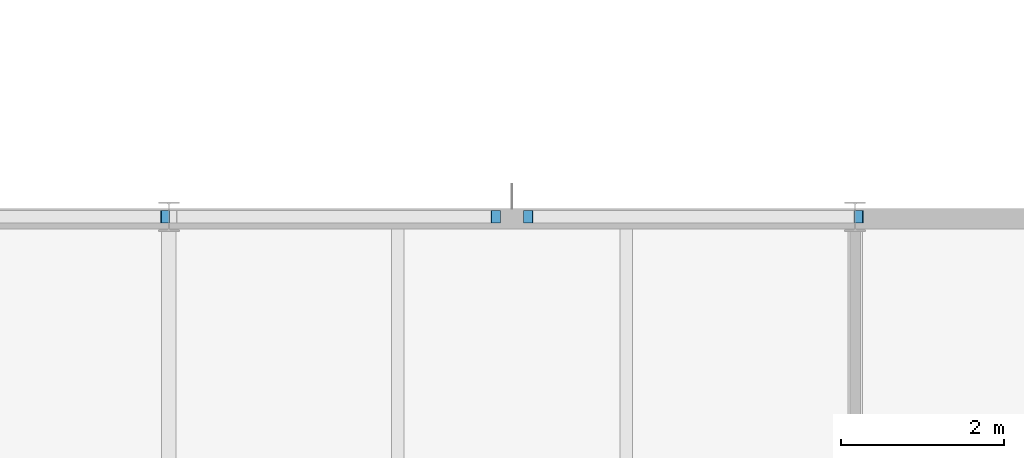
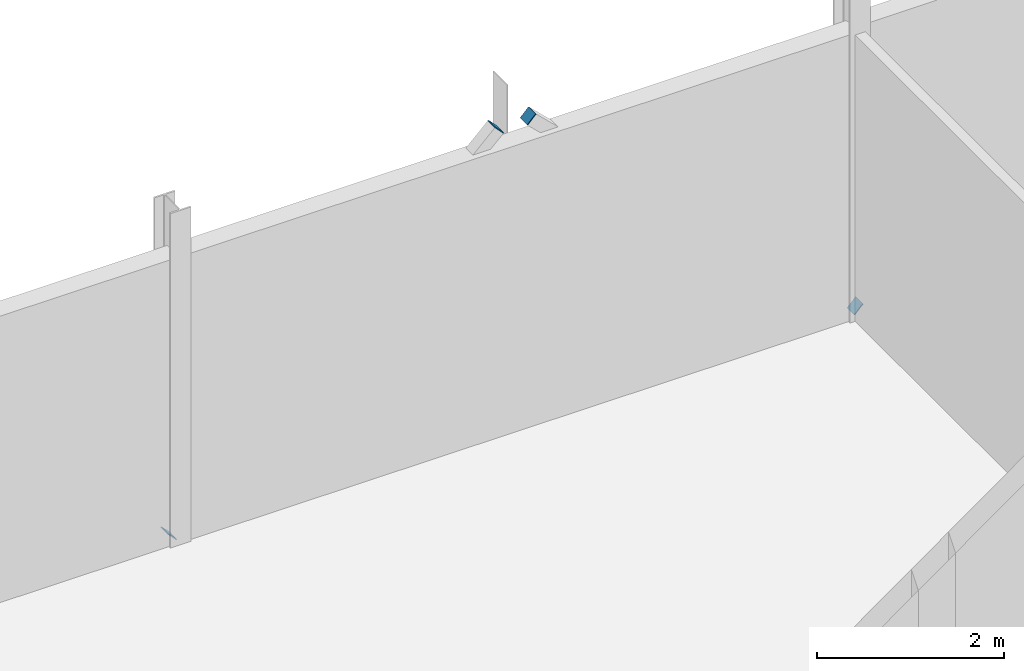
# One storey, part 54 of 72: 4 discrete accessories.
"""IFC4 building model written with IfcOpenShell, lengths in metres."""

from ifc_helpers import new_model, si_unit, direction, frame, origin, origin_2d, place, context, subcontext, project, spatial, rectangle, extrude, material, element, save


model = new_model("IFC4")

# Units and contexts
model_context = context("Model", 3, precision=1e-05, world=origin(), true_north=direction((0.0, 1.0)))
body_context = subcontext(model_context, "Body", "Model", "MODEL_VIEW")
ifc_project = project(units=[si_unit("LENGTHUNIT", "METRE"), si_unit("AREAUNIT", "SQUARE_METRE"), si_unit("VOLUMEUNIT", "CUBIC_METRE"), si_unit("PLANEANGLEUNIT", "RADIAN"), si_unit("MASSUNIT", "GRAM", prefix="KILO")], contexts=[model_context])

# Site, building, storey
site_placement = place(None, origin())
site = spatial("IfcSite", under=ifc_project, at=site_placement, CompositionType="ELEMENT")
building_placement = place(site_placement, origin())
building = spatial("IfcBuilding", under=site, at=building_placement, Name="Hlaing Beacon Police Headquarters", CompositionType="ELEMENT")
storey_placement = place(building_placement, frame((0.0, 0.0, 14.39990234375)))
storey = spatial("IfcBuildingStorey", under=building, at=storey_placement, Name="L03", CompositionType="ELEMENT", Elevation=14.39990234375)

# Discrete accessories
ifc_material = material(Name="Steel ASTM A572 Grade 50", Category="steel")
for number, where, z_axis, x_axis, name in (
    (1, (41.96044921875, 33.60009765625, 0.059326171875), (-0.719983903196, 0.0, -0.693990763006), (0.0, -1.0, 0.0), "Gusset plate GP-029"),
    (2, (45.99560546875, 33.60009765625, 3.948974609375), (0.719983903196, 0.0, 0.693990763006), (0.0, 1.0, 0.0), "Gusset plate GP-030"),
    (3, (50.439697265625, 33.60009765625, 0.059326171875), (0.720004836827, 0.0, -0.693969044659), (0.0, 1.0, 0.0), "Gusset plate GP-031"),
    (4, (46.404296875, 33.60009765625, 3.948974609375), (-0.720004836827, 0.0, 0.693969044659), (0.0, -1.0, 0.0), "Gusset plate GP-032"),
):
    element("IfcDiscreteAccessory", number, at=place(storey_placement, frame(where, z_axis=z_axis, x_axis=x_axis)), inside=storey, material=ifc_material, Name=name, PredefinedType="BRACKET", context=body_context, shape_type="SweptSolid", body=[
        extrude(rectangle(XDim=0.15234375, YDim=0.15234375, at=origin_2d()), origin(), (0.0, 0.0, 1.0), 0.011962890625),
    ])

save(model, "model.ifc")
